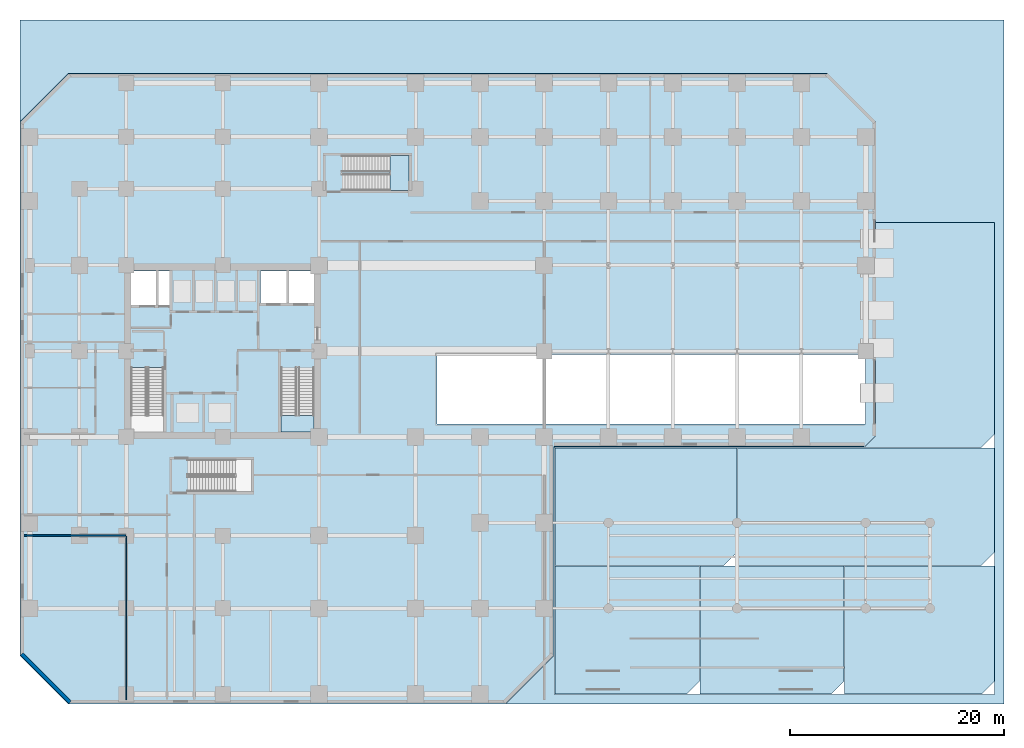
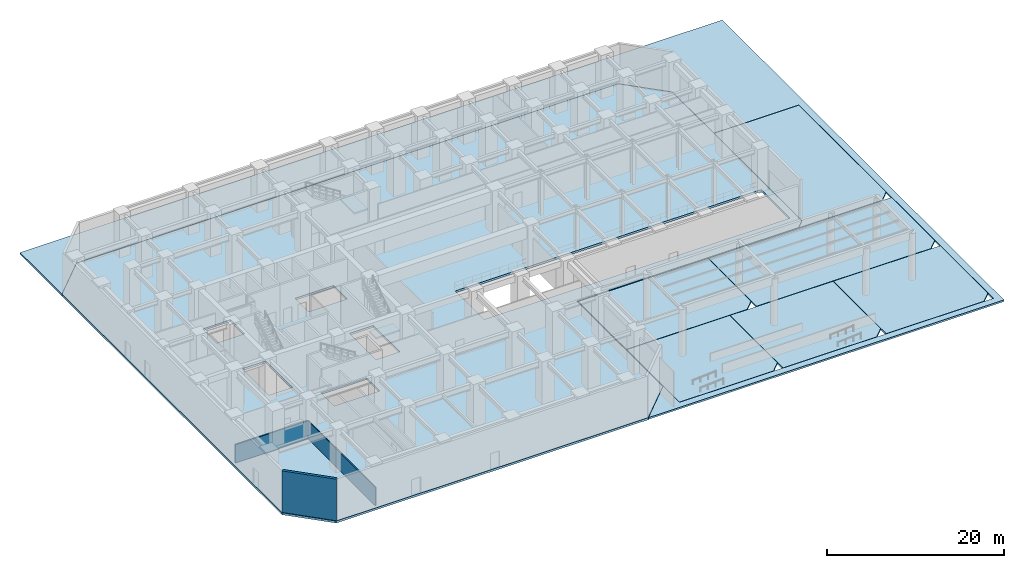
# One storey, part 3 of 13: 10 slabs, 3 walls, 2 elements without a shape of their own.
"""IFC4 building model written with IfcOpenShell, lengths in metres."""

from ifc_helpers import new_model, si_unit, direction, frame, frame_2d, origin, place, context, subcontext, project, spatial, polyline, rectangle, outline, extrude, material, layer, layer_set, type_object, element, aggregate, save


model = new_model("IFC4")

# Units and contexts
model_context = context("Model", 3, precision=1e-05, world=origin(), true_north=direction((0.0, 1.0)))
body_context = subcontext(model_context, "Body", "Model", "MODEL_VIEW")
ifc_project = project(units=[si_unit("LENGTHUNIT", "METRE"), si_unit("AREAUNIT", "SQUARE_METRE"), si_unit("VOLUMEUNIT", "CUBIC_METRE"), si_unit("PLANEANGLEUNIT", "RADIAN"), si_unit("MASSUNIT", "GRAM", prefix="KILO")], contexts=[model_context])

# Site, building, storey
site_placement = place(None, origin())
site = spatial("IfcSite", under=ifc_project, at=site_placement, CompositionType="ELEMENT")
building_placement = place(site_placement, origin())
building = spatial("IfcBuilding", under=site, at=building_placement, Name="Torre Montelarca", CompositionType="ELEMENT")
storey_placement = place(building_placement, origin())
storey = spatial("IfcBuildingStorey", under=building, at=storey_placement, Name="L01", CompositionType="ELEMENT", Elevation=0.0)

# Slabs
ifc_material_1 = material(Name="Concrete C40/50", Category="concrete")
ifc_layer_1 = layer(ifc_material_1, 0.280029296875, Name="Concrete C40/50", Category="concrete")
ifc_layer_set_1 = layer_set([ifc_layer_1], Name="Concrete C40/50")
slab_type_1 = type_object("IfcSlabType", Name="SL-FLR-280", PredefinedType="FLOOR", material=ifc_layer_set_1)
slab_1_placement = place(storey_placement, frame((0.0, 0.0, -0.280029296875)))
element("IfcSlab", 1, at=slab_1_placement, inside=storey, type_object=slab_type_1, Name="L01 Structural Floor Slab", PredefinedType="FLOOR", context=body_context, shape_type="SweptSolid", body=[
    extrude(outline(polyline([(44.39990234375, -0.89990234375), (48.89990234375, 3.60009765625), (48.89990234375, 23.10009765625), (77.89990234375, 23.10009765625), (78.89990234375, 24.10009765625), (78.89990234375, 53.39990234375), (74.39990234375, 57.89990234375), (3.60009765625, 57.89990234375), (-0.89990234375, 53.39990234375), (-0.89990234375, 3.60009765625), (3.60009765625, -0.89990234375), (44.39990234375, -0.89990234375)]), holes=[polyline([(20.699951171875, 21.889892578125), (20.699951171875, 18.89990234375), (14.760009765625, 18.89990234375), (14.760009765625, 21.889892578125), (20.699951171875, 21.889892578125)]), polyline([(23.43994140625, 24.449951171875), (23.43994140625, 30.429931640625), (26.550048828125, 30.429931640625), (26.550048828125, 24.449951171875), (23.43994140625, 24.449951171875)]), polyline([(9.449951171875, 24.449951171875), (9.449951171875, 30.4599609375), (12.5, 30.4599609375), (12.5, 24.449951171875), (9.449951171875, 24.449951171875)]), polyline([(78.0, 31.699951171875), (78.0, 25.199951171875), (38.0, 25.199951171875), (38.0, 31.699951171875), (78.0, 31.699951171875)]), polyline([(13.1201171875, 36.300048828125), (9.449951171875, 36.300048828125), (9.449951171875, 39.5), (13.1201171875, 39.5), (13.1201171875, 36.300048828125)]), polyline([(26.60009765625, 36.449951171875), (21.550048828125, 36.449951171875), (21.550048828125, 39.5), (26.60009765625, 39.5), (26.60009765625, 36.449951171875)])]), origin(), (0.0, 0.0, 1.0), 0.280029296875),
])
ifc_material_2 = material(Name="Andean basalt stone paving on Concrete C35/45", Category="masonry")
ifc_layer_2 = layer(ifc_material_2, 0.280029296875, Name="Andean basalt stone paving on Concrete C35/45", Category="masonry")
ifc_layer_set_2 = layer_set([ifc_layer_2], Name="Andean basalt stone paving on Concrete C35/45")
slab_type_2 = type_object("IfcSlabType", Name="SL-PAV-220", PredefinedType="USERDEFINED", material=ifc_layer_set_2)
slab_2_placement = place(storey_placement, frame((0.0, 0.0, -0.219970703125)))
element("IfcSlab", 2, at=slab_2_placement, inside=storey, type_object=slab_type_2, Name="South-East Public Plaza Paving Bay 01", ObjectType="PAVING", PredefinedType="USERDEFINED", context=body_context, shape_type="SweptSolid", body=[
    extrude(outline(polyline([(49.0, 0.0), (61.280029296875, 0.0), (62.47998046875, 1.199951171875), (62.47998046875, 11.97998046875), (49.0, 11.97998046875), (49.0, 0.0)])), origin(), (0.0, 0.0, 1.0), 0.219970703125),
])
slab_3_placement = place(storey_placement, frame((0.0, 0.0, -0.219970703125)))
element("IfcSlab", 3, at=slab_3_placement, inside=storey, type_object=slab_type_2, Name="South-East Public Plaza Paving Bay 02", ObjectType="PAVING", PredefinedType="USERDEFINED", context=body_context, shape_type="SweptSolid", body=[
    extrude(outline(polyline([(62.52001953125, 0.0), (74.780029296875, 0.0), (75.97998046875, 1.199951171875), (75.97998046875, 11.97998046875), (62.52001953125, 11.97998046875), (62.52001953125, 0.0)])), origin(), (0.0, 0.0, 1.0), 0.219970703125),
])
slab_4_placement = place(storey_placement, frame((0.0, 0.0, -0.219970703125)))
element("IfcSlab", 4, at=slab_4_placement, inside=storey, type_object=slab_type_2, Name="South-East Public Plaza Paving Bay 03", ObjectType="PAVING", PredefinedType="USERDEFINED", context=body_context, shape_type="SweptSolid", body=[
    extrude(outline(polyline([(76.02001953125, 0.0), (88.800048828125, 0.0), (90.0, 1.199951171875), (90.0, 11.97998046875), (76.02001953125, 11.97998046875), (76.02001953125, 0.0)])), origin(), (0.0, 0.0, 1.0), 0.219970703125),
])
slab_5_placement = place(storey_placement, frame((0.0, 0.0, -0.219970703125)))
element("IfcSlab", 5, at=slab_5_placement, inside=storey, type_object=slab_type_2, Name="South-East Public Plaza Paving Bay 04", ObjectType="PAVING", PredefinedType="USERDEFINED", context=body_context, shape_type="SweptSolid", body=[
    extrude(outline(polyline([(49.0, 12.02001953125), (64.780029296875, 12.02001953125), (65.97998046875, 13.219970703125), (65.97998046875, 22.97998046875), (49.0, 22.97998046875), (49.0, 12.02001953125)])), origin(), (0.0, 0.0, 1.0), 0.219970703125),
])
slab_6_placement = place(storey_placement, frame((0.0, 0.0, -0.219970703125)))
element("IfcSlab", 6, at=slab_6_placement, inside=storey, type_object=slab_type_2, Name="South-East Public Plaza Paving Bay 05", ObjectType="PAVING", PredefinedType="USERDEFINED", context=body_context, shape_type="SweptSolid", body=[
    extrude(outline(polyline([(66.02001953125, 12.02001953125), (88.800048828125, 12.02001953125), (90.0, 13.219970703125), (90.0, 22.97998046875), (66.02001953125, 22.97998046875), (66.02001953125, 12.02001953125)])), origin(), (0.0, 0.0, 1.0), 0.219970703125),
])
slab_7_placement = place(storey_placement, frame((0.0, 0.0, -0.219970703125)))
element("IfcSlab", 7, at=slab_7_placement, inside=storey, type_object=slab_type_2, Name="South-East Public Plaza Paving Bay 06", ObjectType="PAVING", PredefinedType="USERDEFINED", context=body_context, shape_type="SweptSolid", body=[
    extrude(outline(polyline([(78.925048828125, 44.0), (78.925048828125, 24.089599609375), (77.910400390625, 23.074951171875), (77.85009765625, 23.074951171875), (77.85009765625, 23.0400390625), (88.800048828125, 23.0400390625), (90.0, 24.239990234375), (90.0, 44.0), (78.925048828125, 44.0)])), origin(), (0.0, 0.0, 1.0), 0.219970703125),
])
ifc_material_3 = material(Name="Architectural concrete C40/50", Category="concrete")
ifc_layer_3 = layer(ifc_material_3, 0.239990234375, Name="Architectural concrete C40/50", Category="concrete")
ifc_layer_set_3 = layer_set([ifc_layer_3], Name="Architectural concrete C40/50")
slab_type_3 = type_object("IfcSlabType", Name="SL-ROOF-EXT-240", PredefinedType="ROOF", material=ifc_layer_set_3)
slab_8_placement = place(storey_placement, frame((0.0, 0.0, -0.239990234375)))
element("IfcSlab", 8, at=slab_8_placement, inside=storey, type_object=slab_type_3, Name="B1 Setback and Tray Overhang Roof Cap Slab 01", PredefinedType="ROOF", context=body_context, shape_type="SweptSolid", body=[
    extrude(outline(polyline([(3.5966796875, 57.907958984375), (74.4033203125, 57.907958984375), (78.907958984375, 53.4033203125), (78.907958984375, 44.02490234375), (90.02490234375, 44.02490234375), (90.02490234375, -0.02490234375), (48.97509765625, -0.02490234375), (48.97509765625, 23.02490234375), (77.824951171875, 23.02490234375), (77.824951171875, 23.092041015625), (48.907958984375, 23.092041015625), (48.907958984375, 3.5966796875), (44.411376953125, -0.89990234375), (90.89990234375, -0.89990234375), (90.89990234375, 62.89990234375), (-0.89990234375, 62.89990234375), (-0.89990234375, 53.411376953125), (3.5966796875, 57.907958984375)])), origin(), (0.0, 0.0, 1.0), 0.239990234375),
])

# Stair, slab
stair_type_1 = type_object("IfcStairType", Name="ST-CORE-ST2", PredefinedType="HALF_TURN_STAIR", material=ifc_material_1)
stair_1_placement = place(storey_placement, origin())
stair_1 = element("IfcStair", 9, at=stair_1_placement, inside=storey, type_object=stair_type_1, Name="L01 Protected Exit Stair ST2", PredefinedType="HALF_TURN_STAIR")
ifc_layer_4 = layer(ifc_material_1, 0.199951171875, Name="Concrete C40/50", Category="concrete")
ifc_layer_set_4 = layer_set([ifc_layer_4], Name="Concrete C40/50")
slab_type_4 = type_object("IfcSlabType", Name="SL-ST-LAND-ST2", PredefinedType="LANDING", material=ifc_layer_set_4)
slab_9_placement = place(storey_placement, frame((0.0, 0.0, 2.800048828125)))
slab_9 = element("IfcSlab", 10, at=slab_9_placement, type_object=slab_type_4, Name="ST2 landing 1", PredefinedType="LANDING", context=body_context, shape_type="SweptSolid", body=[
    extrude(outline(polyline([(23.43994140625, 25.989990234375), (23.43994140625, 24.449951171875), (26.550048828125, 24.449951171875), (26.550048828125, 25.989990234375), (23.43994140625, 25.989990234375)])), origin(), (0.0, 0.0, 1.0), 0.199951171875),
])
aggregate(stair_1, [slab_9])

stair_type_2 = type_object("IfcStairType", Name="ST-CORE-ST4", PredefinedType="HALF_TURN_STAIR", material=ifc_material_1)
stair_2_placement = place(storey_placement, origin())
stair_2 = element("IfcStair", 11, at=stair_2_placement, inside=storey, type_object=stair_type_2, Name="L01 Podium Exchange Feature Stair ST4", PredefinedType="HALF_TURN_STAIR")
ifc_layer_5 = layer(ifc_material_1, 0.199951171875, Name="Concrete C40/50", Category="concrete")
ifc_layer_set_5 = layer_set([ifc_layer_5], Name="Concrete C40/50")
slab_type_5 = type_object("IfcSlabType", Name="SL-ST-LAND-ST4", PredefinedType="LANDING", material=ifc_layer_set_5)
slab_10_placement = place(storey_placement, frame((0.0, 0.0, 2.800048828125)))
slab_10 = element("IfcSlab", 12, at=slab_10_placement, type_object=slab_type_5, Name="ST4 landing 1", PredefinedType="LANDING", context=body_context, shape_type="SweptSolid", body=[
    extrude(outline(polyline([(33.6298828125, 47.0), (35.39990234375, 47.0), (35.39990234375, 50.25), (33.6298828125, 50.25), (33.6298828125, 47.0)])), origin(), (0.0, 0.0, 1.0), 0.199951171875),
])
aggregate(stair_2, [slab_10])

# Walls
ifc_material_4 = material(Name="Precast concrete C45/55", Category="concrete")
ifc_layer_6 = layer(ifc_material_4, 0.320068359375, Name="Precast concrete C45/55", Category="concrete")
ifc_layer_set_6 = layer_set([ifc_layer_6], Name="Precast concrete C45/55")
wall_type_1 = type_object("IfcWallType", Name="EW-CONC-320", PredefinedType="SOLIDWALL", material=ifc_layer_set_6)
wall_1_placement = place(storey_placement, frame((-0.744384765625, 3.755615234375, 0.0), z_axis=(0.0, 0.0, 1.0), x_axis=(0.707106781187, -0.707106781187, 0.0)))
element("IfcWall", 13, at=wall_1_placement, inside=storey, type_object=wall_type_1, Name="L01 Podium Precast Concrete Wall E11", PredefinedType="SOLIDWALL", context=body_context, shape_type="SweptSolid", body=[
    extrude(rectangle(XDim=6.364013671875, YDim=0.320068359375, at=frame_2d((3.18212890625, 0.0))), origin(), (0.0, 0.0, 1.0), 5.739990234375),
])
ifc_material_5 = material(Name="Gypsum plasterboard on steel stud", Category="steel")
ifc_layer_7 = layer(ifc_material_5, 0.114990234375, Name="Gypsum plasterboard on steel stud", Category="steel")
ifc_layer_set_7 = layer_set([ifc_layer_7], Name="Gypsum plasterboard on steel stud")
wall_type_2 = type_object("IfcWallType", Name="PW-PART-115", PredefinedType="PARTITIONING", material=ifc_layer_set_7)
wall_2_placement = place(storey_placement, frame((9.0, -0.510009765625, 0.0), z_axis=(0.0, 0.0, 1.0), x_axis=(0.0, 1.0, 0.0)))
element("IfcWall", 14, at=wall_2_placement, inside=storey, type_object=wall_type_2, Name="L01 Interior Partition W-L01-CAFB2", PredefinedType="PARTITIONING", context=body_context, shape_type="SweptSolid", body=[
    extrude(rectangle(XDim=15.27001953125, YDim=0.114990234375, at=frame_2d((7.635009765625, 0.0))), origin(), (0.0, 0.0, 1.0), 2.5),
])
ifc_layer_8 = layer(ifc_material_5, 0.135009765625, Name="Gypsum plasterboard on steel stud", Category="steel")
ifc_layer_set_8 = layer_set([ifc_layer_8], Name="Gypsum plasterboard on steel stud")
wall_type_3 = type_object("IfcWallType", Name="PW-PART-135", PredefinedType="PARTITIONING", material=ifc_layer_set_8)
wall_3_placement = place(storey_placement, frame((-0.510009765625, 14.800048828125, 0.0), z_axis=(0.0, 0.0, 1.0), x_axis=(1.0, 0.0, 0.0)))
element("IfcWall", 15, at=wall_3_placement, inside=storey, type_object=wall_type_3, Name="L01 Interior Partition W-L01-CAFB1", PredefinedType="PARTITIONING", context=body_context, shape_type="SweptSolid", body=[
    extrude(rectangle(XDim=9.469970703125, YDim=0.135009765625, at=frame_2d((4.73486328125, 0.0))), origin(), (0.0, 0.0, 1.0), 2.5),
])

save(model, "model.ifc")
